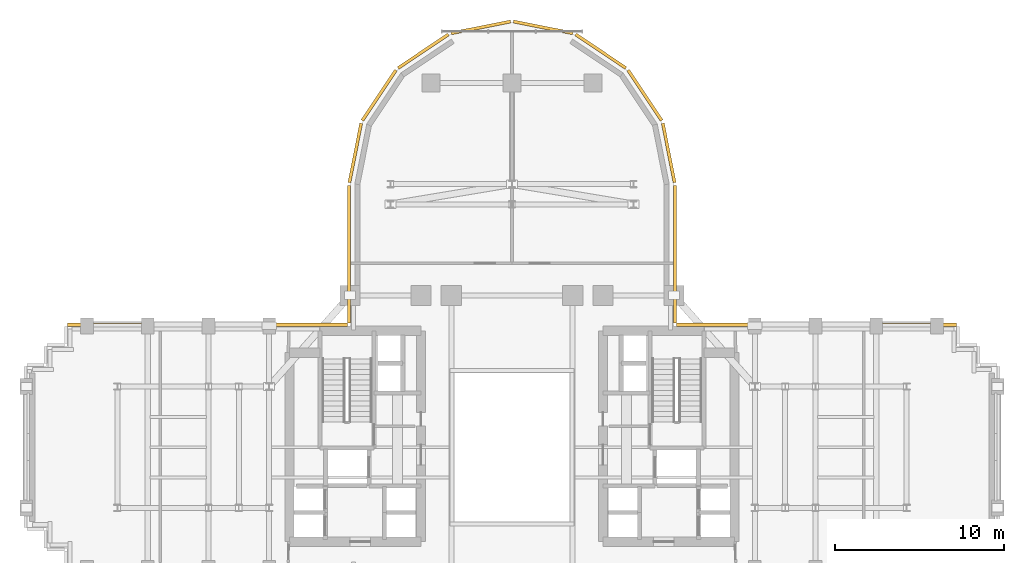
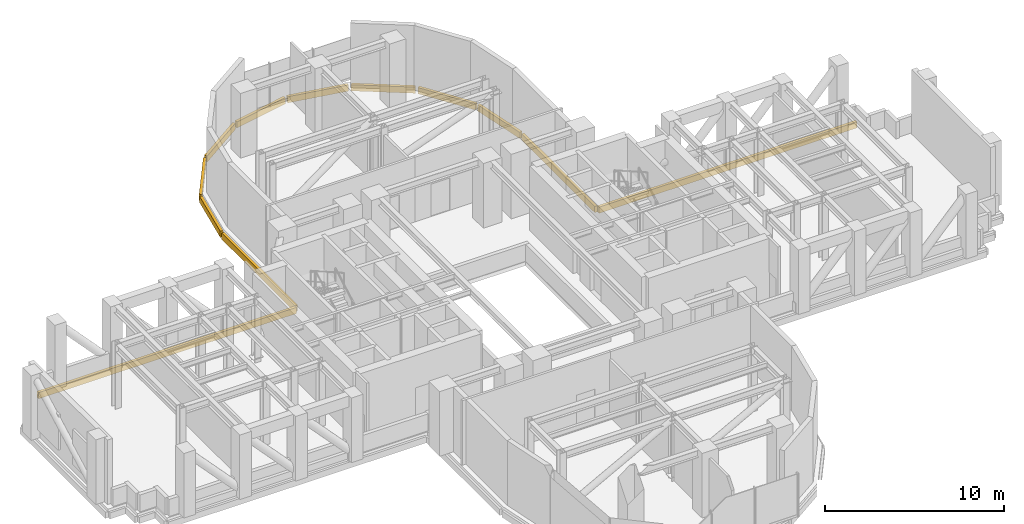
# One storey, part 15 of 15: 12 coverings.
"""IFC4 building model written with IfcOpenShell, lengths in metres."""

from ifc_helpers import new_model, si_unit, direction, frame, origin, origin_2d, place, context, subcontext, project, spatial, rectangle, extrude, source, transform, mapped, material, layer, layer_set, type_object, element, save


model = new_model("IFC4")

# Units and contexts
model_context = context("Model", 3, precision=1e-05, world=origin(), true_north=direction((0.0, 1.0)))
body_context = subcontext(model_context, "Body", "Model", "MODEL_VIEW")
ifc_project = project(units=[si_unit("LENGTHUNIT", "METRE"), si_unit("AREAUNIT", "SQUARE_METRE"), si_unit("VOLUMEUNIT", "CUBIC_METRE"), si_unit("PLANEANGLEUNIT", "RADIAN"), si_unit("MASSUNIT", "GRAM", prefix="KILO")], contexts=[model_context])

# Site, building, storey
site_placement = place(None, origin())
site = spatial("IfcSite", under=ifc_project, at=site_placement, CompositionType="ELEMENT")
building_placement = place(site_placement, origin())
building = spatial("IfcBuilding", under=site, at=building_placement, Name="Keilestroom Media Tower", CompositionType="ELEMENT")
storey_placement = place(building_placement, frame((0.0, 0.0, 88.39990234375)))
storey = spatial("IfcBuildingStorey", under=building, at=storey_placement, Name="L23", CompositionType="ELEMENT", Elevation=88.39990234375)

# Coverings
ifc_material = material(Name="Precast concrete C40/50", Category="concrete")
ifc_layer = layer(ifc_material, 0.1201171875)
ifc_layer_set = layer_set([ifc_layer], Name="Precast concrete C40/50")
covering_type = type_object("IfcCoveringType", Name="Exterior-Precast-Spandrel-Cladding-Panel-120", PredefinedType="CLADDING", material=ifc_layer_set)
shared_shape_1 = source(origin(), body_context, "Body", "SweptSolid", [
    extrude(rectangle(XDim=16.6201171875, YDim=0.179931640625, at=origin_2d()), origin(), (0.0, 0.0, 1.0), 0.419921875),
])
for number, where, z_axis, x_axis, name in (
    (1, (-18.06005859375, 7.260009765625, -0.599853515625), (0.0, 0.0, 1.0), (1.0, 0.0, 0.0), "L23 Precast Slab-Edge Fascia Cornice 26"),
    (2, (18.06005859375, 7.260009765625, -0.599853515625), (0.0, 0.0, 1.0), (1.0, 0.0, 0.0), "L23 Precast Slab-Edge Fascia Cornice 37"),
):
    element("IfcCovering", number, at=place(storey_placement, frame(where, z_axis=z_axis, x_axis=x_axis)), inside=storey, type_object=covering_type, Name=name, PredefinedType="CLADDING", context=body_context, shape_type="MappedRepresentation", body=[
        mapped(shared_shape_1, transform((0.0, 0.0, 0.0), x_axis=(1.0, 0.0, 0.0), y_axis=(0.0, 1.0, 0.0), z_axis=(0.0, 0.0, 1.0), scale=1.0)),
    ])
shared_shape_2 = source(origin(), body_context, "Body", "SweptSolid", [
    extrude(rectangle(XDim=8.166015625, YDim=0.179931640625, at=origin_2d()), origin(), (0.0, 0.0, 1.0), 0.419921875),
])
for number, where, z_axis, x_axis, name in (
    (3, (-9.659912109375, 11.43310546875, -0.599853515625), (0.0, 0.0, 1.0), (0.0, 1.0, 0.0), "L23 Precast Slab-Edge Fascia Cornice 27"),
    (4, (9.659912109375, 11.43310546875, -0.599853515625), (0.0, 0.0, 1.0), (0.0, -1.0, 0.0), "L23 Precast Slab-Edge Fascia Cornice 36"),
):
    element("IfcCovering", number, at=place(storey_placement, frame(where, z_axis=z_axis, x_axis=x_axis)), inside=storey, type_object=covering_type, Name=name, PredefinedType="CLADDING", context=body_context, shape_type="MappedRepresentation", body=[
        mapped(shared_shape_2, transform((0.0, 0.0, 0.0), x_axis=(1.0, 0.0, 0.0), y_axis=(0.0, 1.0, 0.0), z_axis=(0.0, 0.0, 1.0), scale=1.0)),
    ])
shared_shape_3 = source(origin(), body_context, "Body", "SweptSolid", [
    extrude(rectangle(XDim=3.58349609375, YDim=0.179931640625, at=origin_2d()), origin(), (0.0, 0.0, 1.0), 0.419921875),
])
for number, where, z_axis, x_axis, name in (
    (5, (-9.29296875, 17.45166015625, -0.599853515625), (0.0, 0.0, 1.0), (0.195098880975, 0.980783577882, 0.0), "L23 Precast Slab-Edge Fascia Cornice 28"),
    (6, (9.29296875, 17.45166015625, -0.599853515625), (0.0, 0.0, 1.0), (0.195098880975, -0.980783577882, 0.0), "L23 Precast Slab-Edge Fascia Cornice 35"),
):
    element("IfcCovering", number, at=place(storey_placement, frame(where, z_axis=z_axis, x_axis=x_axis)), inside=storey, type_object=covering_type, Name=name, PredefinedType="CLADDING", context=body_context, shape_type="MappedRepresentation", body=[
        mapped(shared_shape_3, transform((0.0, 0.0, 0.0), x_axis=(1.0, 0.0, 0.0), y_axis=(0.0, 1.0, 0.0), z_axis=(0.0, 0.0, 1.0), scale=1.0)),
    ])
shared_shape_4 = source(origin(), body_context, "Body", "SweptSolid", [
    extrude(rectangle(XDim=3.589599609375, YDim=0.179931640625, at=origin_2d()), origin(), (0.0, 0.0, 1.0), 0.419921875),
])
for number, where, z_axis, x_axis, name in (
    (7, (-7.878662109375, 20.8642578125, -0.599853515625), (0.0, 0.0, 1.0), (0.555574586577, 0.831466703332, 0.0), "L23 Precast Slab-Edge Fascia Cornice 29"),
    (8, (-5.264404296875, 23.478515625, -0.599853515625), (0.0, 0.0, 1.0), (0.831466703332, 0.555574586577, 0.0), "L23 Precast Slab-Edge Fascia Cornice 30"),
    (9, (-1.8486328125, 24.893310546875, -0.599853515625), (0.0, 0.0, 1.0), (0.980783577882, 0.195098880975, 0.0), "L23 Precast Slab-Edge Fascia Cornice 31"),
    (10, (1.8486328125, 24.893310546875, -0.599853515625), (0.0, 0.0, 1.0), (0.980783577882, -0.195098880975, 0.0), "L23 Precast Slab-Edge Fascia Cornice 32"),
    (11, (5.264404296875, 23.478515625, -0.599853515625), (0.0, 0.0, 1.0), (0.831466703332, -0.555574586577, 0.0), "L23 Precast Slab-Edge Fascia Cornice 33"),
    (12, (7.878662109375, 20.8642578125, -0.599853515625), (0.0, 0.0, 1.0), (0.555574586577, -0.831466703332, 0.0), "L23 Precast Slab-Edge Fascia Cornice 34"),
):
    element("IfcCovering", number, at=place(storey_placement, frame(where, z_axis=z_axis, x_axis=x_axis)), inside=storey, type_object=covering_type, Name=name, PredefinedType="CLADDING", context=body_context, shape_type="MappedRepresentation", body=[
        mapped(shared_shape_4, transform((0.0, 0.0, 0.0), x_axis=(1.0, 0.0, 0.0), y_axis=(0.0, 1.0, 0.0), z_axis=(0.0, 0.0, 1.0), scale=1.0)),
    ])

save(model, "model.ifc")
